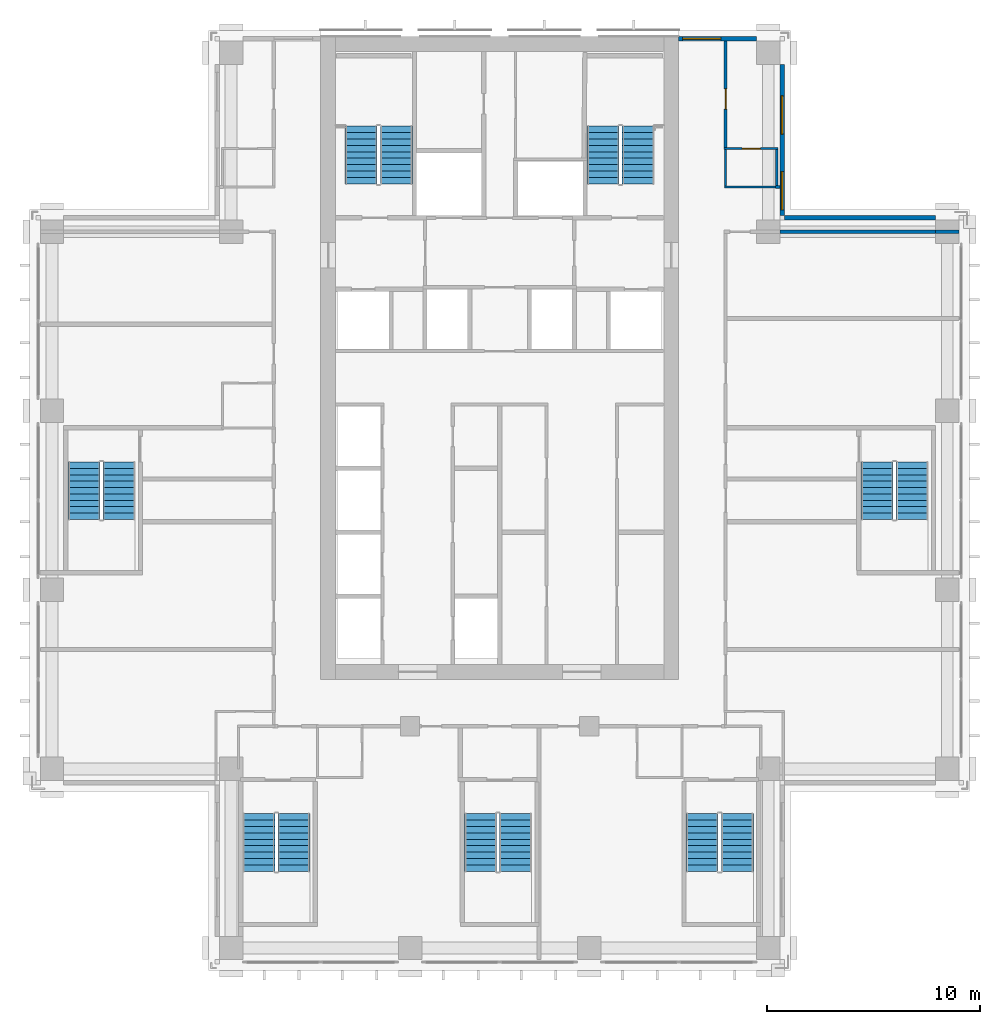
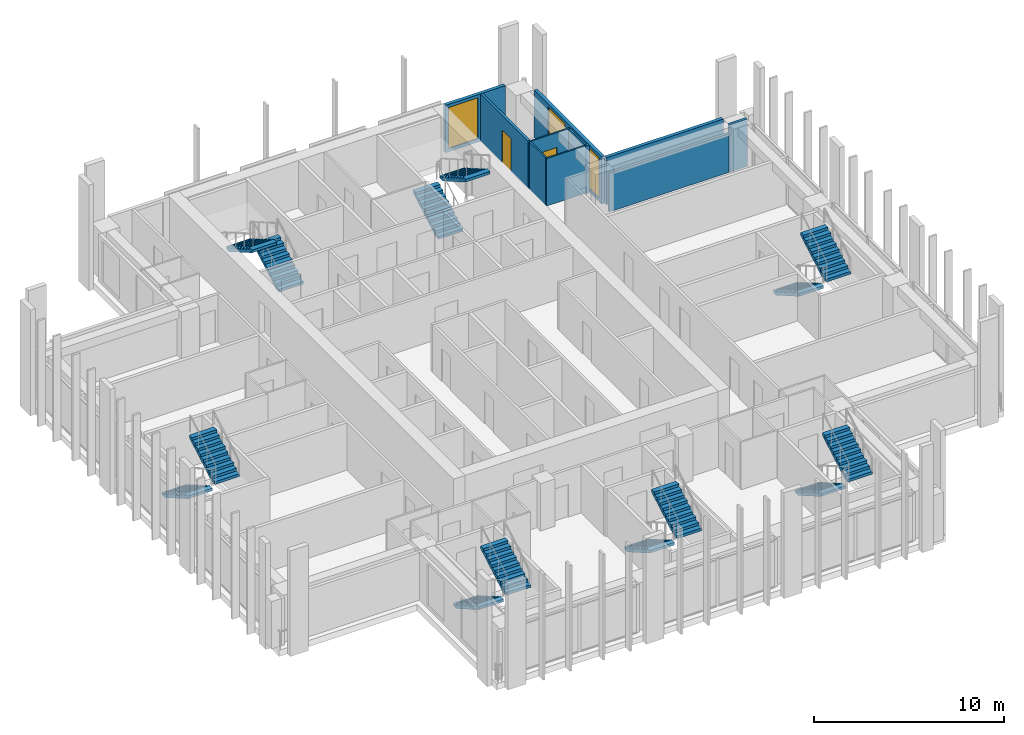
# One storey, part 13 of 16: 14 stair flights, 11 walls, 3 windows, 2 doors, 5 openings, 7 elements without a shape of their own.
"""IFC4 building model written with IfcOpenShell, lengths in metres."""

from ifc_helpers import new_model, si_unit, direction, frame, frame_2d, origin, place, context, subcontext, project, spatial, polyline, rectangle, outline, extrude, material, layer, layer_set, type_object, element, fill, aggregate, save


model = new_model("IFC4")

# Units and contexts
model_context = context("Model", 3, precision=1e-05, world=origin(), true_north=direction((0.0, 1.0)))
body_context = subcontext(model_context, "Body", "Model", "MODEL_VIEW")
ifc_project = project(units=[si_unit("LENGTHUNIT", "METRE"), si_unit("AREAUNIT", "SQUARE_METRE"), si_unit("VOLUMEUNIT", "CUBIC_METRE"), si_unit("PLANEANGLEUNIT", "RADIAN"), si_unit("MASSUNIT", "GRAM", prefix="KILO")], contexts=[model_context])

# Site, building, storey
site_placement = place(None, origin())
site = spatial("IfcSite", under=ifc_project, at=site_placement, CompositionType="ELEMENT")
building_placement = place(site_placement, origin())
building = spatial("IfcBuilding", under=site, at=building_placement, Name="Vermilion Ogive Tower", CompositionType="ELEMENT")
storey_placement = place(building_placement, frame((0.0, 0.0, 164.14990234375)))
storey = spatial("IfcBuildingStorey", under=building, at=storey_placement, Name="L42", CompositionType="ELEMENT", Elevation=164.14990234375)

# Wall
ifc_material_1 = material(Name="Gypsum board partition on steel studs", Category="steel")
ifc_layer_1 = layer(ifc_material_1, 0.10009765625)
ifc_layer_set_1 = layer_set([ifc_layer_1], Name="Partition 100 bath")
wall_type_1 = type_object("IfcWallType", Name="Partition 100 bath", PredefinedType="PARTITIONING", material=ifc_layer_set_1)
wall_1_placement = place(storey_placement, frame((10.550048828125, 14.699951171875, 0.0), z_axis=(0.0, 0.0, 1.0), x_axis=(1.0, 0.0, 0.0)))
element("IfcWall", 1, at=wall_1_placement, inside=storey, type_object=wall_type_1, Name="L42-W-W034", PredefinedType="PARTITIONING", context=body_context, shape_type="SweptSolid", body=[
    extrude(rectangle(XDim=2.5, YDim=0.10009765625, at=frame_2d((1.25, 0.0))), origin(), (0.0, 0.0, 1.0), 3.050048828125),
])

# Wall, opening, door
wall_2_placement = place(storey_placement, frame((10.52490234375, 16.5, 0.0), z_axis=(0.0, 0.0, 1.0), x_axis=(1.0, 0.0, 0.0)))
wall_2 = element("IfcWall", 2, at=wall_2_placement, inside=storey, type_object=wall_type_1, Name="L42-W-W037", PredefinedType="PARTITIONING", context=body_context, shape_type="SweptSolid", body=[
    extrude(rectangle(XDim=2.525146484375, YDim=0.10009765625, at=frame_2d((1.2626953125, 0.0))), origin(), (0.0, 0.0, 1.0), 3.050048828125),
])
opening_1_placement = place(wall_2_placement, frame((0.85009765625, 0.0, 0.0)))
opening_1 = element("IfcOpeningElement", 3, at=opening_1_placement, cuts=wall_2, Name="Opening D3G5017", PredefinedType="OPENING", context=body_context, shape_type="SweptSolid", body=[
    extrude(rectangle(XDim=0.85009765625, YDim=2.10009765625, at=frame_2d((0.425048828125, 1.050048828125))), frame((0.0, 0.06005859375, 0.0), z_axis=(0.0, -1.0, 0.0), x_axis=(1.0, 0.0, 0.0)), (0.0, 0.0, 1.0), 0.1201171875),
])
ifc_material_2 = material(Name="Timber door leaf", Category="wood")
door_type_1 = type_object("IfcDoorType", Name="Bath door 850 x 2100 FD30", OperationType="SINGLE_SWING_LEFT", PredefinedType="DOOR", material=ifc_material_2)
door_1_placement = place(opening_1_placement, origin())
door_1 = element("IfcDoor", 4, at=door_1_placement, inside=storey, type_object=door_type_1, Name="L42-D-D017", OperationType="SINGLE_SWING_RIGHT", OverallHeight=2.10009765625, OverallWidth=0.85009765625, PredefinedType="DOOR", context=body_context, shape_type="SweptSolid", body=[
    extrude(rectangle(XDim=0.85009765625, YDim=2.10009765625, at=frame_2d((0.425048828125, 1.050048828125))), frame((0.0, 0.02490234375, 0.0), z_axis=(0.0, -1.0, 0.0), x_axis=(1.0, 0.0, 0.0)), (0.0, 0.0, 1.0), 0.050048828125),
])
fill(opening_1, door_1)

# Walls
wall_3_placement = place(storey_placement, frame((10.60009765625, 14.75, 0.0), z_axis=(0.0, 0.0, 1.0), x_axis=(0.0, 1.0, 0.0)))
element("IfcWall", 5, at=wall_3_placement, inside=storey, type_object=wall_type_1, Name="L42-W-W060", PredefinedType="PARTITIONING", context=body_context, shape_type="SweptSolid", body=[
    extrude(rectangle(XDim=1.699951171875, YDim=0.10009765625, at=frame_2d((0.85009765625, 0.0))), origin(), (0.0, 0.0, 1.0), 3.050048828125),
])
wall_4_placement = place(storey_placement, frame((13.0, 14.77490234375, 0.0), z_axis=(0.0, 0.0, 1.0), x_axis=(0.0, 1.0, 0.0)))
element("IfcWall", 6, at=wall_4_placement, inside=storey, type_object=wall_type_1, Name="L42-W-W063", PredefinedType="PARTITIONING", context=body_context, shape_type="SweptSolid", body=[
    extrude(rectangle(XDim=1.675048828125, YDim=0.10009765625, at=frame_2d((0.83740234375, 0.0))), origin(), (0.0, 0.0, 1.0), 3.050048828125),
])
ifc_material_3 = material(Name="Gypsum board partition on steel studs", Category="steel")
ifc_layer_2 = layer(ifc_material_3, 0.14990234375)
ifc_layer_set_2 = layer_set([ifc_layer_2], Name="Partition 150 corridor")
wall_type_2 = type_object("IfcWallType", Name="Partition 150 corridor", PredefinedType="PARTITIONING", material=ifc_layer_set_2)
wall_5_placement = place(storey_placement, frame((12.949951171875, 14.699951171875, 0.0), z_axis=(0.0, 0.0, 1.0), x_axis=(1.0, 0.0, 0.0)))
element("IfcWall", 7, at=wall_5_placement, inside=storey, type_object=wall_type_2, Name="L42-W-W035", PredefinedType="PARTITIONING", context=body_context, shape_type="SweptSolid", body=[
    extrude(rectangle(XDim=0.199951171875, YDim=0.14990234375, at=frame_2d((0.10009765625, 0.0))), origin(), (0.0, 0.0, 1.0), 3.050048828125),
])

# Wall, opening, door
wall_6_placement = place(storey_placement, frame((10.60009765625, 16.550048828125, 0.0), z_axis=(0.0, 0.0, 1.0), x_axis=(0.0, 1.0, 0.0)))
wall_6 = element("IfcWall", 8, at=wall_6_placement, inside=storey, type_object=wall_type_2, Name="L42-W-W061", PredefinedType="PARTITIONING", context=body_context, shape_type="SweptSolid", body=[
    extrude(rectangle(XDim=5.0, YDim=0.14990234375, at=frame_2d((2.5, 0.0))), origin(), (0.0, 0.0, 1.0), 3.050048828125),
])
opening_2_placement = place(wall_6_placement, frame((1.800048828125, 0.0, 0.0)))
opening_2 = element("IfcOpeningElement", 9, at=opening_2_placement, cuts=wall_6, Name="Opening D3G5016", PredefinedType="OPENING", context=body_context, shape_type="SweptSolid", body=[
    extrude(rectangle(XDim=0.949951171875, YDim=2.10009765625, at=frame_2d((0.47509765625, 1.050048828125))), frame((0.0, 0.0849609375, 0.0), z_axis=(0.0, -1.0, 0.0), x_axis=(1.0, 0.0, 0.0)), (0.0, 0.0, 1.0), 0.169921875),
])
ifc_material_4 = material(Name="Timber door leaf", Category="wood")
door_type_2 = type_object("IfcDoorType", Name="Unit door 950 x 2100 FD30S", OperationType="SINGLE_SWING_LEFT", PredefinedType="DOOR", material=ifc_material_4)
door_2_placement = place(opening_2_placement, origin())
door_2 = element("IfcDoor", 10, at=door_2_placement, inside=storey, type_object=door_type_2, Name="L42-D-D016", OperationType="SINGLE_SWING_LEFT", OverallHeight=2.10009765625, OverallWidth=0.949951171875, PredefinedType="DOOR", context=body_context, shape_type="SweptSolid", body=[
    extrude(rectangle(XDim=0.949951171875, YDim=2.10009765625, at=frame_2d((0.47509765625, 1.050048828125))), frame((0.0, 0.02490234375, 0.0), z_axis=(0.0, -1.0, 0.0), x_axis=(1.0, 0.0, 0.0)), (0.0, 0.0, 1.0), 0.050048828125),
])
fill(opening_2, door_2)

# Walls
wall_7_placement = place(storey_placement, frame((13.14990234375, 12.60009765625, 0.0), z_axis=(0.0, 0.0, 1.0), x_axis=(1.0, 0.0, 0.0)))
element("IfcWall", 11, at=wall_7_placement, inside=storey, type_object=wall_type_2, Name="L42-W-W031-h1", PredefinedType="PARTITIONING", context=body_context, shape_type="SweptSolid", body=[
    extrude(rectangle(XDim=7.300048828125, YDim=0.14990234375, at=frame_2d((3.64990234375, 0.0))), origin(), (0.0, 0.0, 1.0), 2.5),
])
wall_8_placement = place(storey_placement, frame((20.449951171875, 12.60009765625, 0.0), z_axis=(0.0, 0.0, 1.0), x_axis=(1.0, 0.0, 0.0)))
element("IfcWall", 12, at=wall_8_placement, inside=storey, type_object=wall_type_2, Name="L42-W-W031-h2", PredefinedType="PARTITIONING", context=body_context, shape_type="SweptSolid", body=[
    extrude(rectangle(XDim=1.10009765625, YDim=0.14990234375, at=frame_2d((0.550048828125, 0.0))), origin(), (0.0, 0.0, 1.0), 3.050048828125),
])
ifc_material_5 = material(Name="Aluminium window wall framing", Category="aluminium")
ifc_layer_3 = layer(ifc_material_5, 0.199951171875)
ifc_layer_set_3 = layer_set([ifc_layer_3], Name="Window wall")
wall_type_3 = type_object("IfcWallType", Name="Window wall", PredefinedType="STANDARD", material=ifc_layer_set_3)
wall_9_placement = place(storey_placement, frame((20.449951171875, 13.25, 0.0), z_axis=(0.0, 0.0, 1.0), x_axis=(-1.0, 0.0, 0.0)))
element("IfcWall", 13, at=wall_9_placement, inside=storey, type_object=wall_type_3, Name="Window wall X31", PredefinedType="STANDARD", context=body_context, shape_type="SweptSolid", body=[
    extrude(rectangle(XDim=7.099853515625, YDim=0.199951171875, at=frame_2d((3.5498046875, 0.0))), origin(), (0.0, 0.0, 1.0), 3.050048828125),
])

# Wall, openings, windows
wall_10_placement = place(storey_placement, frame((13.25, 13.35009765625, 0.0), z_axis=(0.0, 0.0, 1.0), x_axis=(0.0, 1.0, 0.0)))
wall_10 = element("IfcWall", 14, at=wall_10_placement, inside=storey, type_object=wall_type_3, Name="Window wall X41", PredefinedType="STANDARD", context=body_context, shape_type="SweptSolid", body=[
    extrude(rectangle(XDim=7.099853515625, YDim=0.199951171875, at=frame_2d((3.5498046875, 0.0))), origin(), (0.0, 0.0, 1.0), 3.050048828125),
])
opening_3_placement = place(wall_10_placement, frame((0.27490234375, 0.0, 0.199951171875)))
opening_3 = element("IfcOpeningElement", 15, at=opening_3_placement, cuts=wall_10, Name="Opening W1-X403", PredefinedType="OPENING", context=body_context, shape_type="SweptSolid", body=[
    extrude(rectangle(XDim=1.800048828125, YDim=2.64990234375, at=frame_2d((0.89990234375, 1.324951171875))), frame((0.0, 0.10986328125, 0.0), z_axis=(0.0, -1.0, 0.0), x_axis=(1.0, 0.0, 0.0)), (0.0, 0.0, 1.0), 0.219970703125),
])
opening_4_placement = place(wall_10_placement, frame((3.824951171875, 0.0, 0.199951171875)))
opening_4 = element("IfcOpeningElement", 16, at=opening_4_placement, cuts=wall_10, Name="Opening W1-X404", PredefinedType="OPENING", context=body_context, shape_type="SweptSolid", body=[
    extrude(rectangle(XDim=1.800048828125, YDim=2.64990234375, at=frame_2d((0.89990234375, 1.324951171875))), frame((0.0, 0.10986328125, 0.0), z_axis=(0.0, -1.0, 0.0), x_axis=(1.0, 0.0, 0.0)), (0.0, 0.0, 1.0), 0.219970703125),
])
ifc_material_6 = material(Name="Aluminium framed double glazing", Category="aluminium")
window_type = type_object("IfcWindowType", Name="Guest window W1", PartitioningType="SINGLE_PANEL", PredefinedType="WINDOW", material=ifc_material_6)
window_1_placement = place(opening_3_placement, origin())
window_1 = element("IfcWindow", 17, at=window_1_placement, inside=storey, type_object=window_type, Name="Window X403", OverallHeight=2.64990234375, OverallWidth=1.800048828125, PartitioningType="SINGLE_PANEL", PredefinedType="WINDOW", context=body_context, shape_type="SweptSolid", body=[
    extrude(rectangle(XDim=1.800048828125, YDim=2.64990234375, at=frame_2d((0.89990234375, 1.324951171875))), frame((0.0, 0.030029296875, 0.0), z_axis=(0.0, -1.0, 0.0), x_axis=(1.0, 0.0, 0.0)), (0.0, 0.0, 1.0), 0.06005859375),
])
fill(opening_3, window_1)
window_2_placement = place(opening_4_placement, origin())
window_2 = element("IfcWindow", 18, at=window_2_placement, inside=storey, type_object=window_type, Name="Window X404", OverallHeight=2.64990234375, OverallWidth=1.800048828125, PartitioningType="SINGLE_PANEL", PredefinedType="WINDOW", context=body_context, shape_type="SweptSolid", body=[
    extrude(rectangle(XDim=1.800048828125, YDim=2.64990234375, at=frame_2d((0.89990234375, 1.324951171875))), frame((0.0, 0.030029296875, 0.0), z_axis=(0.0, -1.0, 0.0), x_axis=(1.0, 0.0, 0.0)), (0.0, 0.0, 1.0), 0.06005859375),
])
fill(opening_4, window_2)

# Wall, opening, window
wall_11_placement = place(storey_placement, frame((12.050048828125, 21.64990234375, 0.0), z_axis=(0.0, 0.0, 1.0), x_axis=(-1.0, 0.0, 0.0)))
wall_11 = element("IfcWall", 19, at=wall_11_placement, inside=storey, type_object=wall_type_3, Name="Window wall N11", PredefinedType="STANDARD", context=body_context, shape_type="SweptSolid", body=[
    extrude(rectangle(XDim=3.650146484375, YDim=0.199951171875, at=frame_2d((1.8251953125, 0.0))), origin(), (0.0, 0.0, 1.0), 3.050048828125),
])
opening_5_placement = place(wall_11_placement, frame((1.669921875, 0.0, 0.199951171875)))
opening_5 = element("IfcOpeningElement", 20, at=opening_5_placement, cuts=wall_11, Name="Opening W1-N102", PredefinedType="OPENING", context=body_context, shape_type="SweptSolid", body=[
    extrude(rectangle(XDim=1.800048828125, YDim=2.64990234375, at=frame_2d((0.89990234375, 1.324951171875))), frame((0.0, 0.10986328125, 0.0), z_axis=(0.0, -1.0, 0.0), x_axis=(1.0, 0.0, 0.0)), (0.0, 0.0, 1.0), 0.219970703125),
])
window_3_placement = place(opening_5_placement, origin())
window_3 = element("IfcWindow", 21, at=window_3_placement, inside=storey, type_object=window_type, Name="Window N102", OverallHeight=2.64990234375, OverallWidth=1.800048828125, PartitioningType="SINGLE_PANEL", PredefinedType="WINDOW", context=body_context, shape_type="SweptSolid", body=[
    extrude(rectangle(XDim=1.800048828125, YDim=2.64990234375, at=frame_2d((0.89990234375, 1.324951171875))), frame((0.0, 0.030029296875, 0.0), z_axis=(0.0, -1.0, 0.0), x_axis=(1.0, 0.0, 0.0)), (0.0, 0.0, 1.0), 0.06005859375),
])
fill(opening_5, window_3)

# Stair, stair flights
ifc_material_7 = material(Name="Concrete B40", Category="concrete")
stair_type = type_object("IfcStairType", Name="Exit stair 1500", PredefinedType="HALF_TURN_STAIR", material=ifc_material_7)
stair_1_placement = place(storey_placement, origin())
stair_1 = element("IfcStair", 22, at=stair_1_placement, inside=storey, type_object=stair_type, Name="L42 Exit Stair ST1", PredefinedType="HALF_TURN_STAIR")
ifc_material_8 = material(Name="Concrete B40", Category="concrete")
stair_flight_type = type_object("IfcStairFlightType", Name="Stair flight 1500", PredefinedType="STRAIGHT", material=ifc_material_8)
stair_flight_1_placement = place(storey_placement, frame((-4.85009765625, 14.85009765625, 0.0), z_axis=(0.0, 0.0, 1.0), x_axis=(0.0, 1.0, 0.0)))
stair_flight_1 = element("IfcStairFlight", 23, at=stair_flight_1_placement, type_object=stair_flight_type, Name="ST1 flight 1", NumberOfRisers=10, NumberOfTreads=9, PredefinedType="STRAIGHT", RiserHeight=0.1725, TreadLength=0.3, context=body_context, shape_type="SweptSolid", body=[
    extrude(outline(polyline([(0.0, 0.0), (0.0, 0.172607421875), (0.300048828125, 0.172607421875), (0.300048828125, 0.344970703125), (0.60009765625, 0.344970703125), (0.60009765625, 0.517578125), (0.89990234375, 0.517578125), (0.89990234375, 0.68994140625), (1.199951171875, 0.68994140625), (1.199951171875, 0.862548828125), (1.5, 0.862548828125), (1.5, 1.034912109375), (1.800048828125, 1.034912109375), (1.800048828125, 1.20751953125), (2.10009765625, 1.20751953125), (2.10009765625, 1.3798828125), (2.39990234375, 1.3798828125), (2.39990234375, 1.552490234375), (2.699951171875, 1.552490234375), (2.699951171875, 1.72509765625), (2.699951171875, 1.379638671875), (0.30078125, 0.0), (0.0, 0.0)])), frame((0.0, 0.75, 0.0), z_axis=(0.0, -1.0, 0.0), x_axis=(1.0, 0.0, 0.0)), (0.0, 0.0, 1.0), 1.5),
])
stair_flight_2_placement = place(storey_placement, frame((-6.5, 17.550048828125, 1.72509765625), z_axis=(0.0, 0.0, 1.0), x_axis=(0.0, -1.0, 0.0)))
stair_flight_2 = element("IfcStairFlight", 24, at=stair_flight_2_placement, type_object=stair_flight_type, Name="ST1 flight 2", NumberOfRisers=10, NumberOfTreads=9, PredefinedType="STRAIGHT", RiserHeight=0.1725, TreadLength=0.3, context=body_context, shape_type="SweptSolid", body=[
    extrude(outline(polyline([(0.0, 0.0), (0.0, 0.172607421875), (0.300048828125, 0.172607421875), (0.300048828125, 0.344970703125), (0.60009765625, 0.344970703125), (0.60009765625, 0.517578125), (0.89990234375, 0.517578125), (0.89990234375, 0.68994140625), (1.199951171875, 0.68994140625), (1.199951171875, 0.862548828125), (1.5, 0.862548828125), (1.5, 1.034912109375), (1.800048828125, 1.034912109375), (1.800048828125, 1.20751953125), (2.10009765625, 1.20751953125), (2.10009765625, 1.3798828125), (2.39990234375, 1.3798828125), (2.39990234375, 1.552490234375), (2.699951171875, 1.552490234375), (2.699951171875, 1.72509765625), (2.699951171875, 1.379638671875), (0.30078125, 0.0), (0.0, 0.0)])), frame((0.0, 0.75, 0.0), z_axis=(0.0, -1.0, 0.0), x_axis=(1.0, 0.0, 0.0)), (0.0, 0.0, 1.0), 1.5),
])
aggregate(stair_1, [stair_flight_1, stair_flight_2])

stair_2_placement = place(storey_placement, origin())
stair_2 = element("IfcStair", 25, at=stair_2_placement, inside=storey, type_object=stair_type, Name="L42 Exit Stair ST2", PredefinedType="HALF_TURN_STAIR")
stair_flight_3_placement = place(storey_placement, frame((4.85009765625, 14.85009765625, 0.0), z_axis=(0.0, 0.0, 1.0), x_axis=(0.0, 1.0, 0.0)))
stair_flight_3 = element("IfcStairFlight", 26, at=stair_flight_3_placement, type_object=stair_flight_type, Name="ST2 flight 1", NumberOfRisers=10, NumberOfTreads=9, PredefinedType="STRAIGHT", RiserHeight=0.1725, TreadLength=0.3, context=body_context, shape_type="SweptSolid", body=[
    extrude(outline(polyline([(0.0, 0.0), (0.0, 0.172607421875), (0.300048828125, 0.172607421875), (0.300048828125, 0.344970703125), (0.60009765625, 0.344970703125), (0.60009765625, 0.517578125), (0.89990234375, 0.517578125), (0.89990234375, 0.68994140625), (1.199951171875, 0.68994140625), (1.199951171875, 0.862548828125), (1.5, 0.862548828125), (1.5, 1.034912109375), (1.800048828125, 1.034912109375), (1.800048828125, 1.20751953125), (2.10009765625, 1.20751953125), (2.10009765625, 1.3798828125), (2.39990234375, 1.3798828125), (2.39990234375, 1.552490234375), (2.699951171875, 1.552490234375), (2.699951171875, 1.72509765625), (2.699951171875, 1.379638671875), (0.30078125, 0.0), (0.0, 0.0)])), frame((0.0, 0.75, 0.0), z_axis=(0.0, -1.0, 0.0), x_axis=(1.0, 0.0, 0.0)), (0.0, 0.0, 1.0), 1.5),
])
stair_flight_4_placement = place(storey_placement, frame((6.5, 17.550048828125, 1.72509765625), z_axis=(0.0, 0.0, 1.0), x_axis=(0.0, -1.0, 0.0)))
stair_flight_4 = element("IfcStairFlight", 27, at=stair_flight_4_placement, type_object=stair_flight_type, Name="ST2 flight 2", NumberOfRisers=10, NumberOfTreads=9, PredefinedType="STRAIGHT", RiserHeight=0.1725, TreadLength=0.3, context=body_context, shape_type="SweptSolid", body=[
    extrude(outline(polyline([(0.0, 0.0), (0.0, 0.172607421875), (0.300048828125, 0.172607421875), (0.300048828125, 0.344970703125), (0.60009765625, 0.344970703125), (0.60009765625, 0.517578125), (0.89990234375, 0.517578125), (0.89990234375, 0.68994140625), (1.199951171875, 0.68994140625), (1.199951171875, 0.862548828125), (1.5, 0.862548828125), (1.5, 1.034912109375), (1.800048828125, 1.034912109375), (1.800048828125, 1.20751953125), (2.10009765625, 1.20751953125), (2.10009765625, 1.3798828125), (2.39990234375, 1.3798828125), (2.39990234375, 1.552490234375), (2.699951171875, 1.552490234375), (2.699951171875, 1.72509765625), (2.699951171875, 1.379638671875), (0.30078125, 0.0), (0.0, 0.0)])), frame((0.0, 0.75, 0.0), z_axis=(0.0, -1.0, 0.0), x_axis=(1.0, 0.0, 0.0)), (0.0, 0.0, 1.0), 1.5),
])
aggregate(stair_2, [stair_flight_3, stair_flight_4])

stair_3_placement = place(storey_placement, origin())
stair_3 = element("IfcStair", 28, at=stair_3_placement, inside=storey, type_object=stair_type, Name="L42 Exit Stair ST3", PredefinedType="HALF_TURN_STAIR")
stair_flight_5_placement = place(storey_placement, frame((-11.300048828125, -14.699951171875, 0.0), z_axis=(0.0, 0.0, 1.0), x_axis=(0.0, -1.0, 0.0)))
stair_flight_5 = element("IfcStairFlight", 29, at=stair_flight_5_placement, type_object=stair_flight_type, Name="ST3 flight 1", NumberOfRisers=10, NumberOfTreads=9, PredefinedType="STRAIGHT", RiserHeight=0.1725, TreadLength=0.3, context=body_context, shape_type="SweptSolid", body=[
    extrude(outline(polyline([(0.0, 0.0), (0.0, 0.172607421875), (0.300048828125, 0.172607421875), (0.300048828125, 0.344970703125), (0.60009765625, 0.344970703125), (0.60009765625, 0.517578125), (0.89990234375, 0.517578125), (0.89990234375, 0.68994140625), (1.199951171875, 0.68994140625), (1.199951171875, 0.862548828125), (1.5, 0.862548828125), (1.5, 1.034912109375), (1.800048828125, 1.034912109375), (1.800048828125, 1.20751953125), (2.10009765625, 1.20751953125), (2.10009765625, 1.3798828125), (2.39990234375, 1.3798828125), (2.39990234375, 1.552490234375), (2.699951171875, 1.552490234375), (2.699951171875, 1.72509765625), (2.699951171875, 1.379638671875), (0.30078125, 0.0), (0.0, 0.0)])), frame((0.0, 0.75, 0.0), z_axis=(0.0, -1.0, 0.0), x_axis=(1.0, 0.0, 0.0)), (0.0, 0.0, 1.0), 1.5),
])
stair_flight_6_placement = place(storey_placement, frame((-9.64990234375, -17.39990234375, 1.72509765625), z_axis=(0.0, 0.0, 1.0), x_axis=(0.0, 1.0, 0.0)))
stair_flight_6 = element("IfcStairFlight", 30, at=stair_flight_6_placement, type_object=stair_flight_type, Name="ST3 flight 2", NumberOfRisers=10, NumberOfTreads=9, PredefinedType="STRAIGHT", RiserHeight=0.1725, TreadLength=0.3, context=body_context, shape_type="SweptSolid", body=[
    extrude(outline(polyline([(0.0, 0.0), (0.0, 0.172607421875), (0.300048828125, 0.172607421875), (0.300048828125, 0.344970703125), (0.60009765625, 0.344970703125), (0.60009765625, 0.517578125), (0.89990234375, 0.517578125), (0.89990234375, 0.68994140625), (1.199951171875, 0.68994140625), (1.199951171875, 0.862548828125), (1.5, 0.862548828125), (1.5, 1.034912109375), (1.800048828125, 1.034912109375), (1.800048828125, 1.20751953125), (2.10009765625, 1.20751953125), (2.10009765625, 1.3798828125), (2.39990234375, 1.3798828125), (2.39990234375, 1.552490234375), (2.699951171875, 1.552490234375), (2.699951171875, 1.72509765625), (2.699951171875, 1.379638671875), (0.30078125, 0.0), (0.0, 0.0)])), frame((0.0, 0.75, 0.0), z_axis=(0.0, -1.0, 0.0), x_axis=(1.0, 0.0, 0.0)), (0.0, 0.0, 1.0), 1.5),
])
aggregate(stair_3, [stair_flight_5, stair_flight_6])

stair_4_placement = place(storey_placement, origin())
stair_4 = element("IfcStair", 31, at=stair_4_placement, inside=storey, type_object=stair_type, Name="L42 Exit Stair ST4", PredefinedType="HALF_TURN_STAIR")
stair_flight_7_placement = place(storey_placement, frame((-0.89990234375, -14.699951171875, 0.0), z_axis=(0.0, 0.0, 1.0), x_axis=(0.0, -1.0, 0.0)))
stair_flight_7 = element("IfcStairFlight", 32, at=stair_flight_7_placement, type_object=stair_flight_type, Name="ST4 flight 1", NumberOfRisers=10, NumberOfTreads=9, PredefinedType="STRAIGHT", RiserHeight=0.1725, TreadLength=0.3, context=body_context, shape_type="SweptSolid", body=[
    extrude(outline(polyline([(0.0, 0.0), (0.0, 0.172607421875), (0.300048828125, 0.172607421875), (0.300048828125, 0.344970703125), (0.60009765625, 0.344970703125), (0.60009765625, 0.517578125), (0.89990234375, 0.517578125), (0.89990234375, 0.68994140625), (1.199951171875, 0.68994140625), (1.199951171875, 0.862548828125), (1.5, 0.862548828125), (1.5, 1.034912109375), (1.800048828125, 1.034912109375), (1.800048828125, 1.20751953125), (2.10009765625, 1.20751953125), (2.10009765625, 1.3798828125), (2.39990234375, 1.3798828125), (2.39990234375, 1.552490234375), (2.699951171875, 1.552490234375), (2.699951171875, 1.72509765625), (2.699951171875, 1.379638671875), (0.30078125, 0.0), (0.0, 0.0)])), frame((0.0, 0.75, 0.0), z_axis=(0.0, -1.0, 0.0), x_axis=(1.0, 0.0, 0.0)), (0.0, 0.0, 1.0), 1.5),
])
stair_flight_8_placement = place(storey_placement, frame((0.75, -17.39990234375, 1.72509765625), z_axis=(0.0, 0.0, 1.0), x_axis=(0.0, 1.0, 0.0)))
stair_flight_8 = element("IfcStairFlight", 33, at=stair_flight_8_placement, type_object=stair_flight_type, Name="ST4 flight 2", NumberOfRisers=10, NumberOfTreads=9, PredefinedType="STRAIGHT", RiserHeight=0.1725, TreadLength=0.3, context=body_context, shape_type="SweptSolid", body=[
    extrude(outline(polyline([(0.0, 0.0), (0.0, 0.172607421875), (0.300048828125, 0.172607421875), (0.300048828125, 0.344970703125), (0.60009765625, 0.344970703125), (0.60009765625, 0.517578125), (0.89990234375, 0.517578125), (0.89990234375, 0.68994140625), (1.199951171875, 0.68994140625), (1.199951171875, 0.862548828125), (1.5, 0.862548828125), (1.5, 1.034912109375), (1.800048828125, 1.034912109375), (1.800048828125, 1.20751953125), (2.10009765625, 1.20751953125), (2.10009765625, 1.3798828125), (2.39990234375, 1.3798828125), (2.39990234375, 1.552490234375), (2.699951171875, 1.552490234375), (2.699951171875, 1.72509765625), (2.699951171875, 1.379638671875), (0.30078125, 0.0), (0.0, 0.0)])), frame((0.0, 0.75, 0.0), z_axis=(0.0, -1.0, 0.0), x_axis=(1.0, 0.0, 0.0)), (0.0, 0.0, 1.0), 1.5),
])
aggregate(stair_4, [stair_flight_7, stair_flight_8])

stair_5_placement = place(storey_placement, origin())
stair_5 = element("IfcStair", 34, at=stair_5_placement, inside=storey, type_object=stair_type, Name="L42 Exit Stair ST5", PredefinedType="HALF_TURN_STAIR")
stair_flight_9_placement = place(storey_placement, frame((9.5, -14.699951171875, 0.0), z_axis=(0.0, 0.0, 1.0), x_axis=(0.0, -1.0, 0.0)))
stair_flight_9 = element("IfcStairFlight", 35, at=stair_flight_9_placement, type_object=stair_flight_type, Name="ST5 flight 1", NumberOfRisers=10, NumberOfTreads=9, PredefinedType="STRAIGHT", RiserHeight=0.1725, TreadLength=0.3, context=body_context, shape_type="SweptSolid", body=[
    extrude(outline(polyline([(0.0, 0.0), (0.0, 0.172607421875), (0.300048828125, 0.172607421875), (0.300048828125, 0.344970703125), (0.60009765625, 0.344970703125), (0.60009765625, 0.517578125), (0.89990234375, 0.517578125), (0.89990234375, 0.68994140625), (1.199951171875, 0.68994140625), (1.199951171875, 0.862548828125), (1.5, 0.862548828125), (1.5, 1.034912109375), (1.800048828125, 1.034912109375), (1.800048828125, 1.20751953125), (2.10009765625, 1.20751953125), (2.10009765625, 1.3798828125), (2.39990234375, 1.3798828125), (2.39990234375, 1.552490234375), (2.699951171875, 1.552490234375), (2.699951171875, 1.72509765625), (2.699951171875, 1.379638671875), (0.30078125, 0.0), (0.0, 0.0)])), frame((0.0, 0.75, 0.0), z_axis=(0.0, -1.0, 0.0), x_axis=(1.0, 0.0, 0.0)), (0.0, 0.0, 1.0), 1.5),
])
stair_flight_10_placement = place(storey_placement, frame((11.14990234375, -17.39990234375, 1.72509765625), z_axis=(0.0, 0.0, 1.0), x_axis=(0.0, 1.0, 0.0)))
stair_flight_10 = element("IfcStairFlight", 36, at=stair_flight_10_placement, type_object=stair_flight_type, Name="ST5 flight 2", NumberOfRisers=10, NumberOfTreads=9, PredefinedType="STRAIGHT", RiserHeight=0.1725, TreadLength=0.3, context=body_context, shape_type="SweptSolid", body=[
    extrude(outline(polyline([(0.0, 0.0), (0.0, 0.172607421875), (0.300048828125, 0.172607421875), (0.300048828125, 0.344970703125), (0.60009765625, 0.344970703125), (0.60009765625, 0.517578125), (0.89990234375, 0.517578125), (0.89990234375, 0.68994140625), (1.199951171875, 0.68994140625), (1.199951171875, 0.862548828125), (1.5, 0.862548828125), (1.5, 1.034912109375), (1.800048828125, 1.034912109375), (1.800048828125, 1.20751953125), (2.10009765625, 1.20751953125), (2.10009765625, 1.3798828125), (2.39990234375, 1.3798828125), (2.39990234375, 1.552490234375), (2.699951171875, 1.552490234375), (2.699951171875, 1.72509765625), (2.699951171875, 1.379638671875), (0.30078125, 0.0), (0.0, 0.0)])), frame((0.0, 0.75, 0.0), z_axis=(0.0, -1.0, 0.0), x_axis=(1.0, 0.0, 0.0)), (0.0, 0.0, 1.0), 1.5),
])
aggregate(stair_5, [stair_flight_9, stair_flight_10])

stair_6_placement = place(storey_placement, origin())
stair_6 = element("IfcStair", 37, at=stair_6_placement, inside=storey, type_object=stair_type, Name="L42 Exit Stair ST8", PredefinedType="HALF_TURN_STAIR")
stair_flight_11_placement = place(storey_placement, frame((17.699951171875, 1.800048828125, 0.0), z_axis=(0.0, 0.0, 1.0), x_axis=(0.0, -1.0, 0.0)))
stair_flight_11 = element("IfcStairFlight", 38, at=stair_flight_11_placement, type_object=stair_flight_type, Name="ST8 flight 1", NumberOfRisers=10, NumberOfTreads=9, PredefinedType="STRAIGHT", RiserHeight=0.1725, TreadLength=0.3, context=body_context, shape_type="SweptSolid", body=[
    extrude(outline(polyline([(0.0, 0.0), (0.0, 0.172607421875), (0.300048828125, 0.172607421875), (0.300048828125, 0.344970703125), (0.60009765625, 0.344970703125), (0.60009765625, 0.517578125), (0.89990234375, 0.517578125), (0.89990234375, 0.68994140625), (1.199951171875, 0.68994140625), (1.199951171875, 0.862548828125), (1.5, 0.862548828125), (1.5, 1.034912109375), (1.800048828125, 1.034912109375), (1.800048828125, 1.20751953125), (2.10009765625, 1.20751953125), (2.10009765625, 1.3798828125), (2.39990234375, 1.3798828125), (2.39990234375, 1.552490234375), (2.699951171875, 1.552490234375), (2.699951171875, 1.72509765625), (2.699951171875, 1.379638671875), (0.30078125, 0.0), (0.0, 0.0)])), frame((0.0, 0.75, 0.0), z_axis=(0.0, -1.0, 0.0), x_axis=(1.0, 0.0, 0.0)), (0.0, 0.0, 1.0), 1.5),
])
stair_flight_12_placement = place(storey_placement, frame((19.35009765625, -0.89990234375, 1.72509765625), z_axis=(0.0, 0.0, 1.0), x_axis=(0.0, 1.0, 0.0)))
stair_flight_12 = element("IfcStairFlight", 39, at=stair_flight_12_placement, type_object=stair_flight_type, Name="ST8 flight 2", NumberOfRisers=10, NumberOfTreads=9, PredefinedType="STRAIGHT", RiserHeight=0.1725, TreadLength=0.3, context=body_context, shape_type="SweptSolid", body=[
    extrude(outline(polyline([(0.0, 0.0), (0.0, 0.172607421875), (0.300048828125, 0.172607421875), (0.300048828125, 0.344970703125), (0.60009765625, 0.344970703125), (0.60009765625, 0.517578125), (0.89990234375, 0.517578125), (0.89990234375, 0.68994140625), (1.199951171875, 0.68994140625), (1.199951171875, 0.862548828125), (1.5, 0.862548828125), (1.5, 1.034912109375), (1.800048828125, 1.034912109375), (1.800048828125, 1.20751953125), (2.10009765625, 1.20751953125), (2.10009765625, 1.3798828125), (2.39990234375, 1.3798828125), (2.39990234375, 1.552490234375), (2.699951171875, 1.552490234375), (2.699951171875, 1.72509765625), (2.699951171875, 1.379638671875), (0.30078125, 0.0), (0.0, 0.0)])), frame((0.0, 0.75, 0.0), z_axis=(0.0, -1.0, 0.0), x_axis=(1.0, 0.0, 0.0)), (0.0, 0.0, 1.0), 1.5),
])
aggregate(stair_6, [stair_flight_11, stair_flight_12])

stair_7_placement = place(storey_placement, origin())
stair_7 = element("IfcStair", 40, at=stair_7_placement, inside=storey, type_object=stair_type, Name="L42 Exit Stair ST9", PredefinedType="HALF_TURN_STAIR")
stair_flight_13_placement = place(storey_placement, frame((-19.5, 1.800048828125, 0.0), z_axis=(0.0, 0.0, 1.0), x_axis=(0.0, -1.0, 0.0)))
stair_flight_13 = element("IfcStairFlight", 41, at=stair_flight_13_placement, type_object=stair_flight_type, Name="ST9 flight 1", NumberOfRisers=10, NumberOfTreads=9, PredefinedType="STRAIGHT", RiserHeight=0.1725, TreadLength=0.3, context=body_context, shape_type="SweptSolid", body=[
    extrude(outline(polyline([(0.0, 0.0), (0.0, 0.172607421875), (0.300048828125, 0.172607421875), (0.300048828125, 0.344970703125), (0.60009765625, 0.344970703125), (0.60009765625, 0.517578125), (0.89990234375, 0.517578125), (0.89990234375, 0.68994140625), (1.199951171875, 0.68994140625), (1.199951171875, 0.862548828125), (1.5, 0.862548828125), (1.5, 1.034912109375), (1.800048828125, 1.034912109375), (1.800048828125, 1.20751953125), (2.10009765625, 1.20751953125), (2.10009765625, 1.3798828125), (2.39990234375, 1.3798828125), (2.39990234375, 1.552490234375), (2.699951171875, 1.552490234375), (2.699951171875, 1.72509765625), (2.699951171875, 1.379638671875), (0.30078125, 0.0), (0.0, 0.0)])), frame((0.0, 0.75, 0.0), z_axis=(0.0, -1.0, 0.0), x_axis=(1.0, 0.0, 0.0)), (0.0, 0.0, 1.0), 1.5),
])
stair_flight_14_placement = place(storey_placement, frame((-17.85009765625, -0.89990234375, 1.72509765625), z_axis=(0.0, 0.0, 1.0), x_axis=(0.0, 1.0, 0.0)))
stair_flight_14 = element("IfcStairFlight", 42, at=stair_flight_14_placement, type_object=stair_flight_type, Name="ST9 flight 2", NumberOfRisers=10, NumberOfTreads=9, PredefinedType="STRAIGHT", RiserHeight=0.1725, TreadLength=0.3, context=body_context, shape_type="SweptSolid", body=[
    extrude(outline(polyline([(0.0, 0.0), (0.0, 0.172607421875), (0.300048828125, 0.172607421875), (0.300048828125, 0.344970703125), (0.60009765625, 0.344970703125), (0.60009765625, 0.517578125), (0.89990234375, 0.517578125), (0.89990234375, 0.68994140625), (1.199951171875, 0.68994140625), (1.199951171875, 0.862548828125), (1.5, 0.862548828125), (1.5, 1.034912109375), (1.800048828125, 1.034912109375), (1.800048828125, 1.20751953125), (2.10009765625, 1.20751953125), (2.10009765625, 1.3798828125), (2.39990234375, 1.3798828125), (2.39990234375, 1.552490234375), (2.699951171875, 1.552490234375), (2.699951171875, 1.72509765625), (2.699951171875, 1.379638671875), (0.30078125, 0.0), (0.0, 0.0)])), frame((0.0, 0.75, 0.0), z_axis=(0.0, -1.0, 0.0), x_axis=(1.0, 0.0, 0.0)), (0.0, 0.0, 1.0), 1.5),
])
aggregate(stair_7, [stair_flight_13, stair_flight_14])

save(model, "model.ifc")
